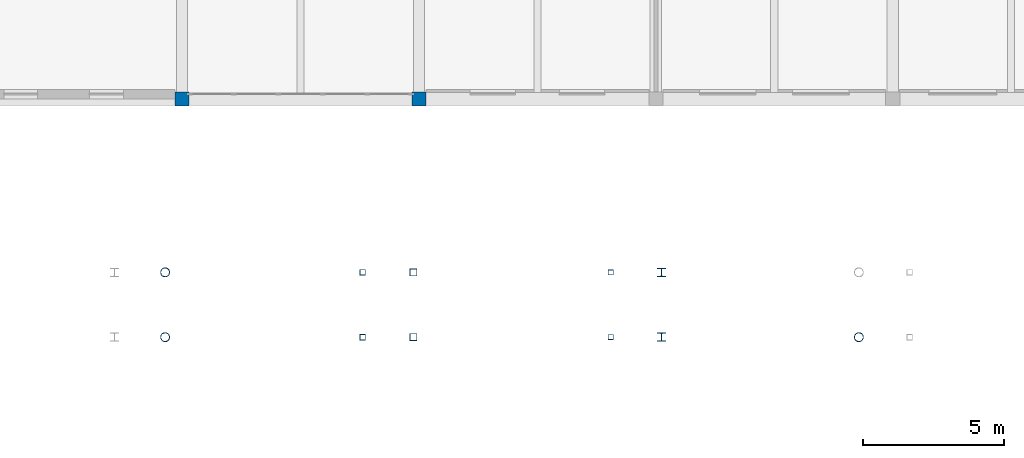
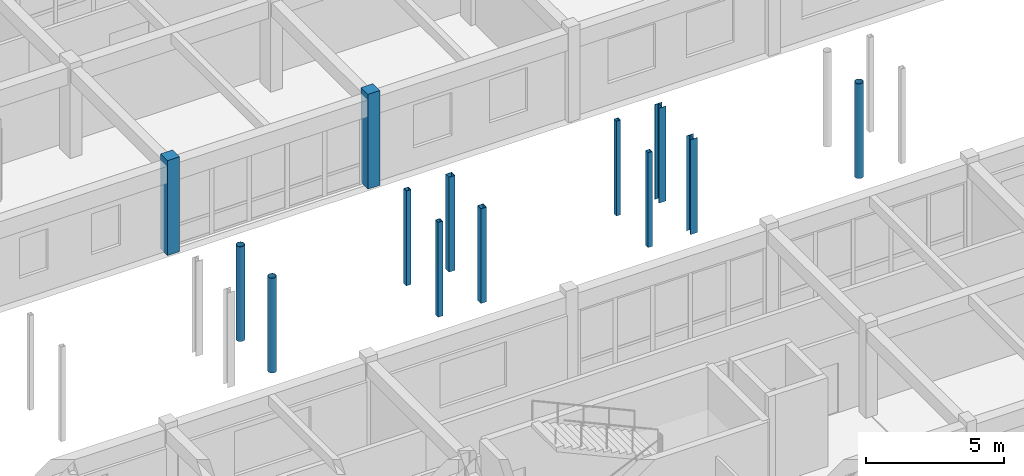
# One storey, part 9 of 90: 13 columns.
"""IFC4 building model written with IfcOpenShell, lengths in metres."""

import ifcopenshell
import ifcopenshell.guid

model = None  # the IFC model being written
_history = None  # IfcOwnerHistory: only IFC2X3 demands one
_inside = {}  # id of a spatial element -> (the spatial element, [elements in it])
_under = {}  # id of a project, library or spatial element -> (it, [spatial elements below it])
_declared = {}  # id of a project -> (the project, [libraries it declares])
_typed = {}  # id of a type object -> (the type object, [elements of that type])
_made_of = {}  # id of a material, layer set ... -> (it, [elements and type objects made of it])


def new_model(schema):
    """Start an empty IFC model of exactly this schema.

    Asked for "IFC4X3", IfcOpenShell would pick the latest addendum, in which some entities
    have other attributes; the version numbers below select the first issue.
    IFC2X3 requires an IfcOwnerHistory on every rooted entity: one is made here for all.
    """
    global model, _history
    if schema == "IFC4X3":
        model = ifcopenshell.file(schema_version=(4, 3, 0, 0))
    else:
        model = ifcopenshell.file(schema=schema)
    _inside.clear()
    _under.clear()
    _declared.clear()
    _typed.clear()
    _made_of.clear()
    _history = None
    if model.schema == "IFC2X3":
        org = make("IfcOrganization", Name="unknown")
        user = make(
            "IfcPersonAndOrganization",
            ThePerson=make("IfcPerson", FamilyName="unknown"),
            TheOrganization=org,
        )
        app = make(
            "IfcApplication",
            ApplicationDeveloper=org,
            Version="unknown",
            ApplicationFullName="unknown",
            ApplicationIdentifier="unknown",
        )
        _history = make(
            "IfcOwnerHistory",
            OwningUser=user,
            OwningApplication=app,
            ChangeAction="ADDED",
            CreationDate=0,
        )
    return model


def make(cls, **values):
    """One entity of the class cls with the attributes given. An attribute that is None is left unset."""
    return model.create_entity(
        cls, **{name: value for name, value in values.items() if value is not None}
    )


def rooted(cls, **values):
    """An entity with a GlobalId (a new one), such as an element, a storey or a relation."""
    return make(cls, GlobalId=ifcopenshell.guid.new(), OwnerHistory=_history, **values)


def si_unit(unit_type, name, prefix=None):
    """IfcSIUnit, for example si_unit("LENGTHUNIT", "METRE", prefix="MILLI")."""
    return make("IfcSIUnit", UnitType=unit_type, Prefix=prefix, Name=name)


def assignment(units):
    """IfcUnitAssignment: the units of a project."""
    return None if units is None else make("IfcUnitAssignment", Units=units)


def point(xyz):
    """IfcCartesianPoint."""
    return None if xyz is None else make("IfcCartesianPoint", Coordinates=xyz)


def direction(xyz):
    """IfcDirection."""
    return None if xyz is None else make("IfcDirection", DirectionRatios=xyz)


def frame(location, z_axis=None, x_axis=None):
    """IfcAxis2Placement3D, a coordinate frame: its origin and axes. An axis left out is left unset."""
    return make(
        "IfcAxis2Placement3D",
        Location=point(location),
        Axis=direction(z_axis),
        RefDirection=direction(x_axis),
    )


def frame_2d(location, x_axis=None):
    """IfcAxis2Placement2D, a coordinate frame in the plane: its origin and x axis."""
    return make(
        "IfcAxis2Placement2D", Location=point(location), RefDirection=direction(x_axis)
    )


def origin():
    """The frame at (0, 0, 0) with its axes left unset."""
    return frame((0.0, 0.0, 0.0))


def origin_2d():
    """The frame at (0, 0) in the plane with its x axis left unset."""
    return frame_2d((0.0, 0.0))


def place(relative_to, where):
    """IfcLocalPlacement: puts the frame where relative to a parent placement (None: the world)."""
    return make(
        "IfcLocalPlacement", PlacementRelTo=relative_to, RelativePlacement=where
    )


def context(
    kind, dimensions, precision=None, world=None, true_north=None, identifier=None
):
    """IfcGeometricRepresentationContext, for example the 3D "Model" context."""
    return make(
        "IfcGeometricRepresentationContext",
        ContextIdentifier=identifier,
        ContextType=kind,
        CoordinateSpaceDimension=dimensions,
        Precision=precision,
        WorldCoordinateSystem=world,
        TrueNorth=true_north,
    )


def subcontext(parent, identifier, kind, view, scale=None):
    """IfcGeometricRepresentationSubContext, for example "Body" below "Model"."""
    return make(
        "IfcGeometricRepresentationSubContext",
        ContextIdentifier=identifier,
        ContextType=kind,
        ParentContext=parent,
        TargetScale=scale,
        TargetView=view,
    )


def project(units=None, contexts=None):
    """IfcProject with its units and contexts."""
    return rooted(
        "IfcProject",
        Name="project",
        RepresentationContexts=contexts,
        UnitsInContext=assignment(units),
    )


def spatial(cls, under=None, at=None, **own):
    """A site, building, storey or space (cls), placed at a placement, below another one or the project."""
    s = rooted(cls, ObjectPlacement=at, **own)
    if under is not None:
        _under.setdefault(under.id(), (under, []))[1].append(s)
    return s


def profile(cls, at=None, kind="AREA", **sizes):
    """A parametric profile (cls). Its sizes go by their IFC names, for example OverallWidth=200.0."""
    return make(cls, ProfileType=kind, Position=at, **sizes)


def rectangle(**sizes):
    """IfcRectangleProfileDef."""
    return profile("IfcRectangleProfileDef", **sizes)


def hollow_rectangle(**sizes):
    """IfcRectangleHollowProfileDef."""
    return profile("IfcRectangleHollowProfileDef", **sizes)


def hollow_circle(**sizes):
    """IfcCircleHollowProfileDef."""
    return profile("IfcCircleHollowProfileDef", **sizes)


def i_section(**sizes):
    """IfcIShapeProfileDef."""
    return profile("IfcIShapeProfileDef", **sizes)


def extrude(swept, where, along, depth):
    """IfcExtrudedAreaSolid: the profile swept, set in the frame where, extruded along a direction by depth."""
    return make(
        "IfcExtrudedAreaSolid",
        SweptArea=swept,
        Position=where,
        ExtrudedDirection=direction(along),
        Depth=depth,
    )


def shape(context_of_items, identifier, shape_type, items):
    """IfcShapeRepresentation: the items that make up one representation, for example the "Body"."""
    return make(
        "IfcShapeRepresentation",
        ContextOfItems=context_of_items,
        RepresentationIdentifier=identifier,
        RepresentationType=shape_type,
        Items=items,
    )


def material(Name=None, Category=None):
    """IfcMaterial."""
    return make("IfcMaterial", Name=Name, Category=Category)


def material_profile(
    of_material, cross_section, Name=None, Category=None, Priority=None
):
    """IfcMaterialProfile: a cross section and its material."""
    return make(
        "IfcMaterialProfile",
        Name=Name,
        Material=of_material,
        Profile=cross_section,
        Priority=Priority,
        Category=Category,
    )


def profile_set(profiles, Name=None, composite=None):
    """IfcMaterialProfileSet."""
    return make(
        "IfcMaterialProfileSet",
        Name=Name,
        MaterialProfiles=profiles,
        CompositeProfile=composite,
    )


def made_of(thing, what):
    """Note that an element or type object is made of a material, layer set ...; save() writes the relation."""
    if what is not None:
        _made_of.setdefault(what.id(), (what, []))[1].append(thing)
    return thing


def type_object(cls, material=None, **own):
    """A type object (cls), such as IfcWallType, which elements share."""
    return made_of(rooted(cls, **own), material)


def element(
    cls,
    number,
    at=None,
    inside=None,
    cuts=None,
    type_object=None,
    material=None,
    context=None,
    identifier="Body",
    shape_type=None,
    held_by="IfcProductDefinitionShape",
    body=None,
    shapes=None,
    **own,
):
    """One element of the class cls, such as IfcWall. Its Tag is "e" and its number.

    at: its placement. inside: the storey or other place that contains it. cuts: it is an
    opening in that element (IfcRelVoidsElement). A single representation is given by context,
    identifier, shape_type and body (its items); several are given by shapes. held_by: the class
    of the entity that holds the representations. save() writes the other relations.
    """
    e = rooted(cls, Tag="e%d" % number, ObjectPlacement=at, **own)
    if body is not None:
        shapes = [shape(context, identifier, shape_type, body)]
    if shapes is not None:
        e.Representation = make(held_by, Representations=shapes)
    if inside is not None:
        _inside.setdefault(inside.id(), (inside, []))[1].append(e)
    if cuts is not None:
        rooted(
            "IfcRelVoidsElement", RelatingBuildingElement=cuts, RelatedOpeningElement=e
        )
    if type_object is not None:
        _typed.setdefault(type_object.id(), (type_object, []))[1].append(e)
    return made_of(e, material)


def aggregate(whole, parts):
    """IfcRelAggregates: a whole, such as a stair, and the parts it consists of."""
    return rooted("IfcRelAggregates", RelatingObject=whole, RelatedObjects=parts)


def save(model, path):
    """Write the relations noted so far, then the file.

    IfcRelAggregates (storeys below a building ...), IfcRelContainedInSpatialStructure (elements
    in a storey), IfcRelDefinesByType, IfcRelAssociatesMaterial and IfcRelDeclares: one each for
    every whole, place, type object, material and project.
    """
    for whole, parts in _under.values():
        aggregate(whole, parts)
    for where, things in _inside.values():
        rooted(
            "IfcRelContainedInSpatialStructure",
            RelatedElements=things,
            RelatingStructure=where,
        )
    for kind, things in _typed.values():
        rooted("IfcRelDefinesByType", RelatedObjects=things, RelatingType=kind)
    for what, things in _made_of.values():
        rooted("IfcRelAssociatesMaterial", RelatedObjects=things, RelatingMaterial=what)
    for by, libraries in _declared.values():
        rooted("IfcRelDeclares", RelatingContext=by, RelatedDefinitions=libraries)
    model.write(path)


model = new_model("IFC4")

# Units and contexts
model_context = context("Model", 3, precision=1e-05, world=origin(), true_north=direction((0.0, 1.0)))
body_context = subcontext(model_context, "Body", "Model", "MODEL_VIEW")
ifc_project = project(units=[si_unit("LENGTHUNIT", "METRE"), si_unit("AREAUNIT", "SQUARE_METRE"), si_unit("VOLUMEUNIT", "CUBIC_METRE"), si_unit("PLANEANGLEUNIT", "RADIAN"), si_unit("MASSUNIT", "GRAM", prefix="KILO")], contexts=[model_context])

# Site, building, storey
site_placement = place(None, origin())
site = spatial("IfcSite", under=ifc_project, at=site_placement, CompositionType="ELEMENT")
building_placement = place(site_placement, origin())
building = spatial("IfcBuilding", under=site, at=building_placement, Name="Malvenik Polytechnic", CompositionType="ELEMENT")
storey_placement = place(building_placement, frame((0.0, 0.0, 9.300048828125)))
storey = spatial("IfcBuildingStorey", under=building, at=storey_placement, Name="L02", CompositionType="ELEMENT", Elevation=9.300048828125)

# Columns
ifc_material_1 = material(Name="Concrete C35/45", Category="concrete")
ifc_material_profile_1 = material_profile(ifc_material_1, rectangle(XDim=0.5, YDim=0.5, at=origin_2d()), Name="RC COL 500x500")
ifc_profile_set_1 = profile_set([ifc_material_profile_1], Name="Concrete C35/45")
column_type_1 = type_object("IfcColumnType", Name="STR-COL-C-08", PredefinedType="COLUMN", material=ifc_profile_set_1)
for number, where, z_axis, x_axis, name in (
    (1, (33.60009765625, 79.199951171875, 0.0), (0.0, 0.0, 1.0), (1.0, 0.0, 0.0), "Column C-08 L02 (33.6,79.2)"),
    (2, (42.0, 79.199951171875, 0.0), (0.0, 0.0, 1.0), (1.0, 0.0, 0.0), "Column C-08 L02 (42.0,79.2)"),
):
    element("IfcColumn", number, at=place(storey_placement, frame(where, z_axis=z_axis, x_axis=x_axis)), inside=storey, type_object=column_type_1, Name=name, PredefinedType="COLUMN", context=body_context, shape_type="SweptSolid", body=[
        extrude(rectangle(XDim=0.5, YDim=0.5, at=origin_2d()), origin(), (0.0, 0.0, 1.0), 4.199951171875),
    ])
ifc_material_2 = material(Name="Steel S355J2H", Category="steel")
ifc_material_profile_2 = material_profile(ifc_material_2, hollow_rectangle(XDim=0.25, YDim=0.25, WallThickness=0.010009765625, at=origin_2d()), Name="SHS 250x250x10.0")
ifc_profile_set_2 = profile_set([ifc_material_profile_2], Name="Steel S355J2H")
column_type_2 = type_object("IfcColumnType", Name="STR-SCOL-SC-01", PredefinedType="COLUMN", material=ifc_profile_set_2)
for number, where, z_axis, x_axis, name in (
    (3, (41.800048828125, 70.75, 0.0), (0.0, 0.0, 1.0), (1.0, 0.0, 0.0), "Bridge-Ramp Support Column SC-01 L02"),
    (4, (41.800048828125, 73.050048828125, 0.0), (0.0, 0.0, 1.0), (1.0, 0.0, 0.0), "Bridge-Ramp Support Column SC-01 L02"),
):
    element("IfcColumn", number, at=place(storey_placement, frame(where, z_axis=z_axis, x_axis=x_axis)), inside=storey, type_object=column_type_2, Name=name, PredefinedType="COLUMN", context=body_context, shape_type="SweptSolid", body=[
        extrude(hollow_rectangle(XDim=0.25, YDim=0.25, WallThickness=0.010009765625, at=origin_2d()), origin(), (0.0, 0.0, 1.0), 4.199951171875),
    ])
ifc_material_profile_3 = material_profile(ifc_material_2, hollow_rectangle(XDim=0.199951171875, YDim=0.199951171875, WallThickness=0.010009765625, at=origin_2d()), Name="SHS 200x200x10.0")
ifc_profile_set_3 = profile_set([ifc_material_profile_3], Name="Steel S355J2H")
column_type_3 = type_object("IfcColumnType", Name="STR-SCOL-SC-02", PredefinedType="COLUMN", material=ifc_profile_set_3)
for number, where, z_axis, x_axis, name in (
    (5, (40.0, 70.75, 0.0), (0.0, 0.0, 1.0), (1.0, 0.0, 0.0), "Bridge-Ramp Support Column SC-02 L02"),
    (6, (40.0, 73.050048828125, 0.0), (0.0, 0.0, 1.0), (1.0, 0.0, 0.0), "Bridge-Ramp Support Column SC-02 L02"),
):
    element("IfcColumn", number, at=place(storey_placement, frame(where, z_axis=z_axis, x_axis=x_axis)), inside=storey, type_object=column_type_3, Name=name, PredefinedType="COLUMN", context=body_context, shape_type="SweptSolid", body=[
        extrude(hollow_rectangle(XDim=0.199951171875, YDim=0.199951171875, WallThickness=0.010009765625, at=origin_2d()), origin(), (0.0, 0.0, 1.0), 4.199951171875),
    ])
ifc_material_profile_4 = material_profile(ifc_material_2, hollow_circle(Radius=0.161865234375, WallThickness=0.012451171875, at=origin_2d()), Name="CHS 323.9x12.5")
ifc_profile_set_4 = profile_set([ifc_material_profile_4], Name="Steel S355J2H")
column_type_4 = type_object("IfcColumnType", Name="STR-SCOL-SC-04", PredefinedType="COLUMN", material=ifc_profile_set_4)
for number, where, z_axis, x_axis, name in (
    (7, (57.60009765625, 70.75, 0.0), (0.0, 0.0, 1.0), (1.0, 0.0, 0.0), "Bridge-Ramp Support Column SC-04 L02"),
    (8, (33.0, 70.75, 0.0), (0.0, 0.0, 1.0), (1.0, 0.0, 0.0), "Bridge-Ramp Support Column SC-04 L02"),
    (9, (33.0, 73.050048828125, 0.0), (0.0, 0.0, 1.0), (1.0, 0.0, 0.0), "Bridge-Ramp Support Column SC-04 L02"),
):
    element("IfcColumn", number, at=place(storey_placement, frame(where, z_axis=z_axis, x_axis=x_axis)), inside=storey, type_object=column_type_4, Name=name, PredefinedType="COLUMN", context=body_context, shape_type="SweptSolid", body=[
        extrude(hollow_circle(Radius=0.161865234375, WallThickness=0.012451171875, at=origin_2d()), origin(), (0.0, 0.0, 1.0), 4.199951171875),
    ])
ifc_material_3 = material(Name="Steel S355", Category="steel")
ifc_material_profile_5 = material_profile(ifc_material_3, i_section(OverallWidth=0.300048828125, OverallDepth=0.300048828125, WebThickness=0.010986328125, FlangeThickness=0.01904296875, FilletRadius=0.027099609375, at=origin_2d()), Name="HEB 300")
ifc_profile_set_5 = profile_set([ifc_material_profile_5], Name="Steel S355")
column_type_5 = type_object("IfcColumnType", Name="STR-SCOL-SC-05", PredefinedType="COLUMN", material=ifc_profile_set_5)
for number, where, z_axis, x_axis, name in (
    (10, (50.60009765625, 70.75, 0.0), (0.0, 0.0, 1.0), (1.0, 0.0, 0.0), "Bridge-Ramp Support Column SC-05 L02"),
    (11, (50.60009765625, 73.050048828125, 0.0), (0.0, 0.0, 1.0), (1.0, 0.0, 0.0), "Bridge-Ramp Support Column SC-05 L02"),
):
    element("IfcColumn", number, at=place(storey_placement, frame(where, z_axis=z_axis, x_axis=x_axis)), inside=storey, type_object=column_type_5, Name=name, PredefinedType="COLUMN", context=body_context, shape_type="SweptSolid", body=[
        extrude(i_section(OverallWidth=0.300048828125, OverallDepth=0.300048828125, WebThickness=0.010986328125, FlangeThickness=0.01904296875, FilletRadius=0.027099609375, at=origin_2d()), origin(), (0.0, 0.0, 1.0), 4.199951171875),
    ])
ifc_material_profile_6 = material_profile(ifc_material_2, hollow_rectangle(XDim=0.179931640625, YDim=0.179931640625, WallThickness=0.008056640625, at=origin_2d()), Name="SHS 180x180x8.0")
ifc_profile_set_6 = profile_set([ifc_material_profile_6], Name="Steel S355J2H")
column_type_6 = type_object("IfcColumnType", Name="STR-SCOL-SC-06", PredefinedType="COLUMN", material=ifc_profile_set_6)
for number, where, z_axis, x_axis, name in (
    (12, (48.800048828125, 70.75, 0.0), (0.0, 0.0, 1.0), (1.0, 0.0, 0.0), "Bridge-Ramp Support Column SC-06 L02"),
    (13, (48.800048828125, 73.050048828125, 0.0), (0.0, 0.0, 1.0), (1.0, 0.0, 0.0), "Bridge-Ramp Support Column SC-06 L02"),
):
    element("IfcColumn", number, at=place(storey_placement, frame(where, z_axis=z_axis, x_axis=x_axis)), inside=storey, type_object=column_type_6, Name=name, PredefinedType="COLUMN", context=body_context, shape_type="SweptSolid", body=[
        extrude(hollow_rectangle(XDim=0.179931640625, YDim=0.179931640625, WallThickness=0.008056640625, at=origin_2d()), origin(), (0.0, 0.0, 1.0), 4.199951171875),
    ])

save(model, "model.ifc")
